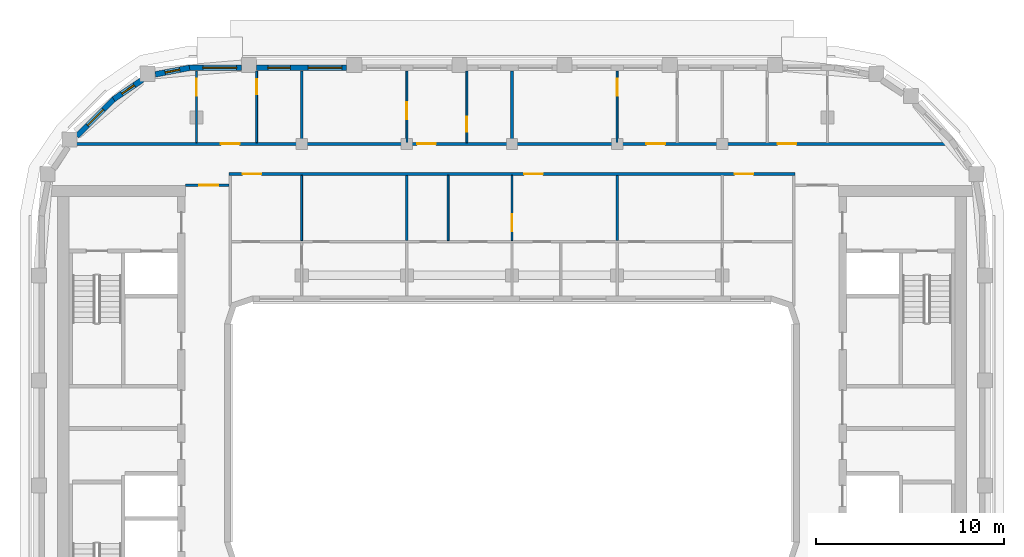
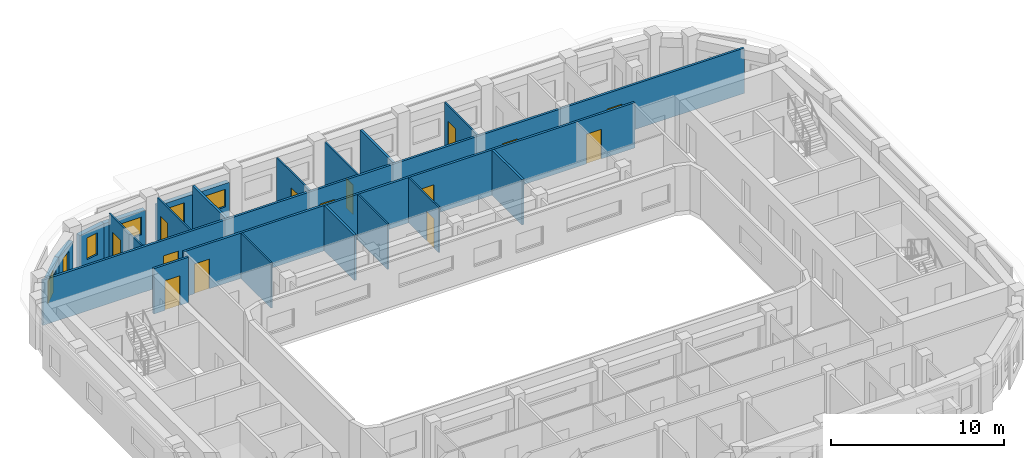
# One storey, part 7 of 16: 20 walls, 14 doors, 6 windows, 20 openings.
"""IFC4 building model written with IfcOpenShell, lengths in metres."""

from ifc_helpers import new_model, si_unit, direction, frame, frame_2d, origin, place, context, subcontext, project, spatial, rectangle, extrude, material, layer, layer_set, type_object, element, fill, save


model = new_model("IFC4")

# Units and contexts
model_context = context("Model", 3, precision=1e-05, world=origin(), true_north=direction((0.0, 1.0)))
body_context = subcontext(model_context, "Body", "Model", "MODEL_VIEW")
ifc_project = project(units=[si_unit("LENGTHUNIT", "METRE"), si_unit("AREAUNIT", "SQUARE_METRE"), si_unit("VOLUMEUNIT", "CUBIC_METRE"), si_unit("PLANEANGLEUNIT", "RADIAN"), si_unit("MASSUNIT", "GRAM", prefix="KILO")], contexts=[model_context])

# Site, building, storey
site_placement = place(None, origin())
site = spatial("IfcSite", under=ifc_project, at=site_placement, CompositionType="ELEMENT")
building_placement = place(site_placement, origin())
building = spatial("IfcBuilding", under=site, at=building_placement, Name="Kiln Ring Residences", CompositionType="ELEMENT")
storey_placement = place(building_placement, frame((0.0, 0.0, 259.199951171875)))
storey = spatial("IfcBuildingStorey", under=building, at=storey_placement, Name="L67", CompositionType="ELEMENT", Elevation=259.199951171875)

# Wall, openings, windows
ifc_material_1 = material(Name="Brick masonry, dark clay brick", Category="masonry")
ifc_layer_1 = layer(ifc_material_1, 0.300048828125)
ifc_layer_set_1 = layer_set([ifc_layer_1], Name="EW-300 BRICK WALL")
wall_type_1 = type_object("IfcWallType", Name="EW-300 BRICK WALL", PredefinedType="SOLIDWALL", material=ifc_layer_set_1)
wall_1_placement = place(storey_placement, frame((-8.800048828125, 19.449951171875, 0.0), z_axis=(0.0, 0.0, 1.0), x_axis=(-1.0, 0.0, 0.0)))
wall_1 = element("IfcWall", 1, at=wall_1_placement, inside=storey, type_object=wall_type_1, Name="Facade wall L67 31", PredefinedType="SOLIDWALL", context=body_context, shape_type="SweptSolid", body=[
    extrude(rectangle(XDim=4.800048828125, YDim=0.300048828125, at=frame_2d((2.39990234375, 0.0))), origin(), (0.0, 0.0, 1.0), 2.550048828125),
])
opening_1_placement = place(wall_1_placement, frame((0.262451171875, 0.0, 0.89990234375)))
opening_1 = element("IfcOpeningElement", 2, at=opening_1_placement, cuts=wall_1, Name="Opening W2", PredefinedType="OPENING", context=body_context, shape_type="SweptSolid", body=[
    extrude(rectangle(XDim=1.800048828125, YDim=1.25, at=frame_2d((0.89990234375, 0.625))), frame((0.0, 0.159912109375, 0.0), z_axis=(0.0, -1.0, 0.0), x_axis=(1.0, 0.0, 0.0)), (0.0, 0.0, 1.0), 0.320068359375),
])
opening_2_placement = place(wall_1_placement, frame((3.0, 0.0, 0.60009765625)))
opening_2 = element("IfcOpeningElement", 3, at=opening_2_placement, cuts=wall_1, Name="Opening W1", PredefinedType="OPENING", context=body_context, shape_type="SweptSolid", body=[
    extrude(rectangle(XDim=1.199951171875, YDim=1.550048828125, at=frame_2d((0.60009765625, 0.77490234375))), frame((0.0, 0.159912109375, 0.0), z_axis=(0.0, -1.0, 0.0), x_axis=(1.0, 0.0, 0.0)), (0.0, 0.0, 1.0), 0.320068359375),
])
ifc_material_2 = material(Name="Aluminium frame with double glazing", Category="aluminium")
window_type_1 = type_object("IfcWindowType", Name="WINDOW 1200 x 1550", PartitioningType="SINGLE_PANEL", PredefinedType="WINDOW", material=ifc_material_2)
window_1_placement = place(opening_2_placement, origin())
window_1 = element("IfcWindow", 4, at=window_1_placement, inside=storey, type_object=window_type_1, Name="Window L67 31", OverallHeight=1.550048828125, OverallWidth=1.199951171875, PartitioningType="SINGLE_PANEL", PredefinedType="WINDOW", context=body_context, shape_type="SweptSolid", body=[
    extrude(rectangle(XDim=1.199951171875, YDim=1.550048828125, at=frame_2d((0.60009765625, 0.77490234375))), frame((0.0, 0.030029296875, 0.0), z_axis=(0.0, -1.0, 0.0), x_axis=(1.0, 0.0, 0.0)), (0.0, 0.0, 1.0), 0.06005859375),
])
fill(opening_2, window_1)
ifc_material_3 = material(Name="Aluminium frame with double glazing", Category="aluminium")
window_type_2 = type_object("IfcWindowType", Name="WINDOW 1800 x 1250", PartitioningType="SINGLE_PANEL", PredefinedType="WINDOW", material=ifc_material_3)
window_2_placement = place(opening_1_placement, origin())
window_2 = element("IfcWindow", 5, at=window_2_placement, inside=storey, type_object=window_type_2, Name="Window L67 30", OverallHeight=1.25, OverallWidth=1.800048828125, PartitioningType="SINGLE_PANEL", PredefinedType="WINDOW", context=body_context, shape_type="SweptSolid", body=[
    extrude(rectangle(XDim=1.800048828125, YDim=1.25, at=frame_2d((0.89990234375, 0.625))), frame((0.0, 0.030029296875, 0.0), z_axis=(0.0, -1.0, 0.0), x_axis=(1.0, 0.0, 0.0)), (0.0, 0.0, 1.0), 0.06005859375),
])
fill(opening_1, window_2)

# Wall, opening, window
wall_2_placement = place(storey_placement, frame((-14.39990234375, 19.449951171875, 0.0), z_axis=(0.0, 0.0, 1.0), x_axis=(-1.0, 0.0, 0.0)))
wall_2 = element("IfcWall", 6, at=wall_2_placement, inside=storey, type_object=wall_type_1, Name="Facade wall L67 32", PredefinedType="SOLIDWALL", context=body_context, shape_type="SweptSolid", body=[
    extrude(rectangle(XDim=2.800048828125, YDim=0.300048828125, at=frame_2d((1.39990234375, 0.0))), origin(), (0.0, 0.0, 1.0), 2.550048828125),
])
opening_3_placement = place(wall_2_placement, frame((0.262451171875, 0.0, 0.89990234375)))
opening_3 = element("IfcOpeningElement", 7, at=opening_3_placement, cuts=wall_2, Name="Opening W2", PredefinedType="OPENING", context=body_context, shape_type="SweptSolid", body=[
    extrude(rectangle(XDim=1.800048828125, YDim=1.25, at=frame_2d((0.89990234375, 0.625))), frame((0.0, 0.159912109375, 0.0), z_axis=(0.0, -1.0, 0.0), x_axis=(1.0, 0.0, 0.0)), (0.0, 0.0, 1.0), 0.320068359375),
])
window_3_placement = place(opening_3_placement, origin())
window_3 = element("IfcWindow", 8, at=window_3_placement, inside=storey, type_object=window_type_2, Name="Window L67 32", OverallHeight=1.25, OverallWidth=1.800048828125, PartitioningType="SINGLE_PANEL", PredefinedType="WINDOW", context=body_context, shape_type="SweptSolid", body=[
    extrude(rectangle(XDim=1.800048828125, YDim=1.25, at=frame_2d((0.89990234375, 0.625))), frame((0.0, 0.030029296875, 0.0), z_axis=(0.0, -1.0, 0.0), x_axis=(1.0, 0.0, 0.0)), (0.0, 0.0, 1.0), 0.06005859375),
])
fill(opening_3, window_3)

wall_3_placement = place(storey_placement, frame((-17.171875, 19.45263671875, 0.0), z_axis=(0.0, 0.0, 1.0), x_axis=(-0.982301706131, -0.187305520826, 0.0)))
wall_3 = element("IfcWall", 9, at=wall_3_placement, inside=storey, type_object=wall_type_1, Name="Facade wall L67 33", PredefinedType="SOLIDWALL", context=body_context, shape_type="SweptSolid", body=[
    extrude(rectangle(XDim=1.856201171875, YDim=0.300048828125, at=frame_2d((0.92822265625, 0.0))), origin(), (0.0, 0.0, 1.0), 2.550048828125),
])
opening_4_placement = place(wall_3_placement, frame((0.528076171875, 0.0, 0.60009765625)))
opening_4 = element("IfcOpeningElement", 10, at=opening_4_placement, cuts=wall_3, Name="Opening W5", PredefinedType="OPENING", context=body_context, shape_type="SweptSolid", body=[
    extrude(rectangle(XDim=0.800048828125, YDim=1.550048828125, at=frame_2d((0.39990234375, 0.77490234375))), frame((0.0, 0.159912109375, 0.0), z_axis=(0.0, -1.0, 0.0), x_axis=(1.0, 0.0, 0.0)), (0.0, 0.0, 1.0), 0.320068359375),
])
ifc_material_4 = material(Name="Aluminium frame with double glazing", Category="aluminium")
window_type_3 = type_object("IfcWindowType", Name="WINDOW 800 x 1550", PartitioningType="SINGLE_PANEL", PredefinedType="WINDOW", material=ifc_material_4)
window_4_placement = place(opening_4_placement, origin())
window_4 = element("IfcWindow", 11, at=window_4_placement, inside=storey, type_object=window_type_3, Name="Window L67 33", OverallHeight=1.550048828125, OverallWidth=0.800048828125, PartitioningType="SINGLE_PANEL", PredefinedType="WINDOW", context=body_context, shape_type="SweptSolid", body=[
    extrude(rectangle(XDim=0.800048828125, YDim=1.550048828125, at=frame_2d((0.39990234375, 0.77490234375))), frame((0.0, 0.030029296875, 0.0), z_axis=(0.0, -1.0, 0.0), x_axis=(1.0, 0.0, 0.0)), (0.0, 0.0, 1.0), 0.06005859375),
])
fill(opening_4, window_4)

wall_4_placement = place(storey_placement, frame((-19.677734375, 18.822265625, 0.0), z_axis=(0.0, 0.0, 1.0), x_axis=(-0.826997446962, -0.562205676526, 0.0)))
wall_4 = element("IfcWall", 12, at=wall_4_placement, inside=storey, type_object=wall_type_1, Name="Facade wall L67 34", PredefinedType="SOLIDWALL", context=body_context, shape_type="SweptSolid", body=[
    extrude(rectangle(XDim=1.85595703125, YDim=0.300048828125, at=frame_2d((0.927978515625, 0.0))), origin(), (0.0, 0.0, 1.0), 2.550048828125),
])
opening_5_placement = place(wall_4_placement, frame((0.528076171875, 0.0, 0.60009765625)))
opening_5 = element("IfcOpeningElement", 13, at=opening_5_placement, cuts=wall_4, Name="Opening W5", PredefinedType="OPENING", context=body_context, shape_type="SweptSolid", body=[
    extrude(rectangle(XDim=0.800048828125, YDim=1.550048828125, at=frame_2d((0.39990234375, 0.77490234375))), frame((0.0, 0.159912109375, 0.0), z_axis=(0.0, -1.0, 0.0), x_axis=(1.0, 0.0, 0.0)), (0.0, 0.0, 1.0), 0.320068359375),
])
window_5_placement = place(opening_5_placement, origin())
window_5 = element("IfcWindow", 14, at=window_5_placement, inside=storey, type_object=window_type_3, Name="Window L67 34", OverallHeight=1.550048828125, OverallWidth=0.800048828125, PartitioningType="SINGLE_PANEL", PredefinedType="WINDOW", context=body_context, shape_type="SweptSolid", body=[
    extrude(rectangle(XDim=0.800048828125, YDim=1.550048828125, at=frame_2d((0.39990234375, 0.77490234375))), frame((0.0, 0.030029296875, 0.0), z_axis=(0.0, -1.0, 0.0), x_axis=(1.0, 0.0, 0.0)), (0.0, 0.0, 1.0), 0.06005859375),
])
fill(opening_5, window_5)

wall_5_placement = place(storey_placement, frame((-21.19091796875, 17.796875, 0.0), z_axis=(0.0, 0.0, 1.0), x_axis=(-0.707106781187, -0.707106781187, 0.0)))
wall_5 = element("IfcWall", 15, at=wall_5_placement, inside=storey, type_object=wall_type_1, Name="Facade wall L67 35", PredefinedType="SOLIDWALL", context=body_context, shape_type="SweptSolid", body=[
    extrude(rectangle(XDim=2.800048828125, YDim=0.300048828125, at=frame_2d((1.39990234375, 0.0))), origin(), (0.0, 0.0, 1.0), 2.550048828125),
])
opening_6_placement = place(wall_5_placement, frame((0.800048828125, 0.0, 0.60009765625)))
opening_6 = element("IfcOpeningElement", 16, at=opening_6_placement, cuts=wall_5, Name="Opening W1", PredefinedType="OPENING", context=body_context, shape_type="SweptSolid", body=[
    extrude(rectangle(XDim=1.199951171875, YDim=1.550048828125, at=frame_2d((0.60009765625, 0.77490234375))), frame((0.0, 0.159912109375, 0.0), z_axis=(0.0, -1.0, 0.0), x_axis=(1.0, 0.0, 0.0)), (0.0, 0.0, 1.0), 0.320068359375),
])
window_6_placement = place(opening_6_placement, origin())
window_6 = element("IfcWindow", 17, at=window_6_placement, inside=storey, type_object=window_type_1, Name="Window L67 35", OverallHeight=1.550048828125, OverallWidth=1.199951171875, PartitioningType="SINGLE_PANEL", PredefinedType="WINDOW", context=body_context, shape_type="SweptSolid", body=[
    extrude(rectangle(XDim=1.199951171875, YDim=1.550048828125, at=frame_2d((0.60009765625, 0.77490234375))), frame((0.0, 0.030029296875, 0.0), z_axis=(0.0, -1.0, 0.0), x_axis=(1.0, 0.0, 0.0)), (0.0, 0.0, 1.0), 0.06005859375),
])
fill(opening_6, window_6)

# Wall, opening, door
ifc_material_5 = material(Name="Gypsum board on steel studs", Category="steel")
ifc_layer_2 = layer(ifc_material_5, 0.10009765625)
ifc_layer_set_2 = layer_set([ifc_layer_2], Name="PARTITION-100")
wall_type_2 = type_object("IfcWallType", Name="PARTITION-100", PredefinedType="PARTITIONING", material=ifc_layer_set_2)
wall_6_placement = place(storey_placement, frame((-16.800048828125, 15.47509765625, 0.0), z_axis=(0.0, 0.0, 1.0), x_axis=(0.0, 1.0, 0.0)))
wall_6 = element("IfcWall", 18, at=wall_6_placement, inside=storey, type_object=wall_type_2, Name="Partition 011", PredefinedType="PARTITIONING", context=body_context, shape_type="SweptSolid", body=[
    extrude(rectangle(XDim=3.804931640625, YDim=0.10009765625, at=frame_2d((1.90234375, 0.0))), origin(), (0.0, 0.0, 1.0), 3.199951171875),
])
opening_7_placement = place(wall_6_placement, frame((2.485107421875, 0.0, 0.0)))
opening_7 = element("IfcOpeningElement", 19, at=opening_7_placement, cuts=wall_6, Name="Opening L67-D021", PredefinedType="OPENING", context=body_context, shape_type="SweptSolid", body=[
    extrude(rectangle(XDim=0.89990234375, YDim=2.10009765625, at=frame_2d((0.449951171875, 1.050048828125))), frame((0.0, 0.06005859375, 0.0), z_axis=(0.0, -1.0, 0.0), x_axis=(1.0, 0.0, 0.0)), (0.0, 0.0, 1.0), 0.1201171875),
])
ifc_material_6 = material(Name="Timber door leaf", Category="wood")
door_type_1 = type_object("IfcDoorType", Name="FLAT-DOOR-900-PL", OperationType="SINGLE_SWING_LEFT", PredefinedType="DOOR", material=ifc_material_6)
door_1_placement = place(opening_7_placement, origin())
door_1 = element("IfcDoor", 20, at=door_1_placement, inside=storey, type_object=door_type_1, Name="Door L67-D021", OperationType="SINGLE_SWING_LEFT", OverallHeight=2.10009765625, OverallWidth=0.89990234375, PredefinedType="DOOR", context=body_context, shape_type="SweptSolid", body=[
    extrude(rectangle(XDim=0.89990234375, YDim=2.10009765625, at=frame_2d((0.449951171875, 1.050048828125))), frame((0.0, 0.02490234375, 0.0), z_axis=(0.0, -1.0, 0.0), x_axis=(1.0, 0.0, 0.0)), (0.0, 0.0, 1.0), 0.050048828125),
])
fill(opening_7, door_1)

wall_7_placement = place(storey_placement, frame((-13.60009765625, 15.47509765625, 0.0), z_axis=(0.0, 0.0, 1.0), x_axis=(0.0, 1.0, 0.0)))
wall_7 = element("IfcWall", 21, at=wall_7_placement, inside=storey, type_object=wall_type_2, Name="Partition 015", PredefinedType="PARTITIONING", context=body_context, shape_type="SweptSolid", body=[
    extrude(rectangle(XDim=3.804931640625, YDim=0.10009765625, at=frame_2d((1.90234375, 0.0))), origin(), (0.0, 0.0, 1.0), 3.199951171875),
])
opening_8_placement = place(wall_7_placement, frame((2.575927734375, 0.0, 0.0)))
opening_8 = element("IfcOpeningElement", 22, at=opening_8_placement, cuts=wall_7, Name="Opening L67-D020", PredefinedType="OPENING", context=body_context, shape_type="SweptSolid", body=[
    extrude(rectangle(XDim=0.800048828125, YDim=2.10009765625, at=frame_2d((0.39990234375, 1.050048828125))), frame((0.0, 0.06005859375, 0.0), z_axis=(0.0, -1.0, 0.0), x_axis=(1.0, 0.0, 0.0)), (0.0, 0.0, 1.0), 0.1201171875),
])
ifc_material_7 = material(Name="Timber door leaf", Category="wood")
door_type_2 = type_object("IfcDoorType", Name="FLAT-DOOR-800-PL", OperationType="SINGLE_SWING_LEFT", PredefinedType="DOOR", material=ifc_material_7)
door_2_placement = place(opening_8_placement, origin())
door_2 = element("IfcDoor", 23, at=door_2_placement, inside=storey, type_object=door_type_2, Name="Door L67-D020", OperationType="SINGLE_SWING_RIGHT", OverallHeight=2.10009765625, OverallWidth=0.800048828125, PredefinedType="DOOR", context=body_context, shape_type="SweptSolid", body=[
    extrude(rectangle(XDim=0.800048828125, YDim=2.10009765625, at=frame_2d((0.39990234375, 1.050048828125))), frame((0.0, 0.02490234375, 0.0), z_axis=(0.0, -1.0, 0.0), x_axis=(1.0, 0.0, 0.0)), (0.0, 0.0, 1.0), 0.050048828125),
])
fill(opening_8, door_2)

# Wall
wall_8_placement = place(storey_placement, frame((-11.199951171875, 10.25, 0.0), z_axis=(0.0, 0.0, 1.0), x_axis=(0.0, 1.0, 0.0)))
element("IfcWall", 24, at=wall_8_placement, inside=storey, type_object=wall_type_2, Name="Partition 019", PredefinedType="PARTITIONING", context=body_context, shape_type="SweptSolid", body=[
    extrude(rectangle(XDim=3.47509765625, YDim=0.10009765625, at=frame_2d((1.737548828125, 0.0))), origin(), (0.0, 0.0, 1.0), 3.199951171875),
])

# Wall, opening, door
wall_9_placement = place(storey_placement, frame((-5.60009765625, 15.47509765625, 0.0), z_axis=(0.0, 0.0, 1.0), x_axis=(0.0, 1.0, 0.0)))
wall_9 = element("IfcWall", 25, at=wall_9_placement, inside=storey, type_object=wall_type_2, Name="Partition 024", PredefinedType="PARTITIONING", context=body_context, shape_type="SweptSolid", body=[
    extrude(rectangle(XDim=3.804931640625, YDim=0.10009765625, at=frame_2d((1.90234375, 0.0))), origin(), (0.0, 0.0, 1.0), 3.199951171875),
])
opening_9_placement = place(wall_9_placement, frame((1.235107421875, 0.0, 0.0)))
opening_9 = element("IfcOpeningElement", 26, at=opening_9_placement, cuts=wall_9, Name="Opening L67-D024", PredefinedType="OPENING", context=body_context, shape_type="SweptSolid", body=[
    extrude(rectangle(XDim=0.89990234375, YDim=2.10009765625, at=frame_2d((0.449951171875, 1.050048828125))), frame((0.0, 0.06005859375, 0.0), z_axis=(0.0, -1.0, 0.0), x_axis=(1.0, 0.0, 0.0)), (0.0, 0.0, 1.0), 0.1201171875),
])
door_3_placement = place(opening_9_placement, origin())
door_3 = element("IfcDoor", 27, at=door_3_placement, inside=storey, type_object=door_type_1, Name="Door L67-D024", OperationType="SINGLE_SWING_RIGHT", OverallHeight=2.10009765625, OverallWidth=0.89990234375, PredefinedType="DOOR", context=body_context, shape_type="SweptSolid", body=[
    extrude(rectangle(XDim=0.89990234375, YDim=2.10009765625, at=frame_2d((0.449951171875, 1.050048828125))), frame((0.0, 0.02490234375, 0.0), z_axis=(0.0, -1.0, 0.0), x_axis=(1.0, 0.0, 0.0)), (0.0, 0.0, 1.0), 0.050048828125),
])
fill(opening_9, door_3)

# Wall
wall_10_placement = place(storey_placement, frame((-3.39990234375, 10.25, 0.0), z_axis=(0.0, 0.0, 1.0), x_axis=(0.0, 1.0, 0.0)))
element("IfcWall", 28, at=wall_10_placement, inside=storey, type_object=wall_type_2, Name="Partition 029", PredefinedType="PARTITIONING", context=body_context, shape_type="SweptSolid", body=[
    extrude(rectangle(XDim=3.47509765625, YDim=0.10009765625, at=frame_2d((1.737548828125, 0.0))), origin(), (0.0, 0.0, 1.0), 3.199951171875),
])

# Wall, opening, door
wall_11_placement = place(storey_placement, frame((-2.39990234375, 15.47509765625, 0.0), z_axis=(0.0, 0.0, 1.0), x_axis=(0.0, 1.0, 0.0)))
wall_11 = element("IfcWall", 29, at=wall_11_placement, inside=storey, type_object=wall_type_2, Name="Partition 030", PredefinedType="PARTITIONING", context=body_context, shape_type="SweptSolid", body=[
    extrude(rectangle(XDim=3.804931640625, YDim=0.10009765625, at=frame_2d((1.90234375, 0.0))), origin(), (0.0, 0.0, 1.0), 3.199951171875),
])
opening_10_placement = place(wall_11_placement, frame((0.575927734375, 0.0, 0.0)))
opening_10 = element("IfcOpeningElement", 30, at=opening_10_placement, cuts=wall_11, Name="Opening L67-D023", PredefinedType="OPENING", context=body_context, shape_type="SweptSolid", body=[
    extrude(rectangle(XDim=0.800048828125, YDim=2.10009765625, at=frame_2d((0.39990234375, 1.050048828125))), frame((0.0, 0.06005859375, 0.0), z_axis=(0.0, -1.0, 0.0), x_axis=(1.0, 0.0, 0.0)), (0.0, 0.0, 1.0), 0.1201171875),
])
door_4_placement = place(opening_10_placement, origin())
door_4 = element("IfcDoor", 31, at=door_4_placement, inside=storey, type_object=door_type_2, Name="Door L67-D023", OperationType="SINGLE_SWING_LEFT", OverallHeight=2.10009765625, OverallWidth=0.800048828125, PredefinedType="DOOR", context=body_context, shape_type="SweptSolid", body=[
    extrude(rectangle(XDim=0.800048828125, YDim=2.10009765625, at=frame_2d((0.39990234375, 1.050048828125))), frame((0.0, 0.02490234375, 0.0), z_axis=(0.0, -1.0, 0.0), x_axis=(1.0, 0.0, 0.0)), (0.0, 0.0, 1.0), 0.050048828125),
])
fill(opening_10, door_4)

wall_12_placement = place(storey_placement, frame((0.0, 10.25, 0.0), z_axis=(0.0, 0.0, 1.0), x_axis=(0.0, 1.0, 0.0)))
wall_12 = element("IfcWall", 32, at=wall_12_placement, inside=storey, type_object=wall_type_2, Name="Partition 033", PredefinedType="PARTITIONING", context=body_context, shape_type="SweptSolid", body=[
    extrude(rectangle(XDim=3.47509765625, YDim=0.10009765625, at=frame_2d((1.737548828125, 0.0))), origin(), (0.0, 0.0, 1.0), 3.199951171875),
])
opening_11_placement = place(wall_12_placement, frame((0.4990234375, 0.0, 0.0)))
opening_11 = element("IfcOpeningElement", 33, at=opening_11_placement, cuts=wall_12, Name="Opening L67-D010", PredefinedType="OPENING", context=body_context, shape_type="SweptSolid", body=[
    extrude(rectangle(XDim=0.89990234375, YDim=2.10009765625, at=frame_2d((0.449951171875, 1.050048828125))), frame((0.0, 0.06005859375, 0.0), z_axis=(0.0, -1.0, 0.0), x_axis=(1.0, 0.0, 0.0)), (0.0, 0.0, 1.0), 0.1201171875),
])
door_5_placement = place(opening_11_placement, origin())
door_5 = element("IfcDoor", 34, at=door_5_placement, inside=storey, type_object=door_type_1, Name="Door L67-D010", OperationType="SINGLE_SWING_RIGHT", OverallHeight=2.10009765625, OverallWidth=0.89990234375, PredefinedType="DOOR", context=body_context, shape_type="SweptSolid", body=[
    extrude(rectangle(XDim=0.89990234375, YDim=2.10009765625, at=frame_2d((0.449951171875, 1.050048828125))), frame((0.0, 0.02490234375, 0.0), z_axis=(0.0, -1.0, 0.0), x_axis=(1.0, 0.0, 0.0)), (0.0, 0.0, 1.0), 0.050048828125),
])
fill(opening_11, door_5)

wall_13_placement = place(storey_placement, frame((5.60009765625, 15.47509765625, 0.0), z_axis=(0.0, 0.0, 1.0), x_axis=(0.0, 1.0, 0.0)))
wall_13 = element("IfcWall", 35, at=wall_13_placement, inside=storey, type_object=wall_type_2, Name="Partition 042", PredefinedType="PARTITIONING", context=body_context, shape_type="SweptSolid", body=[
    extrude(rectangle(XDim=3.804931640625, YDim=0.10009765625, at=frame_2d((1.90234375, 0.0))), origin(), (0.0, 0.0, 1.0), 3.199951171875),
])
opening_12_placement = place(wall_13_placement, frame((2.485107421875, 0.0, 0.0)))
opening_12 = element("IfcOpeningElement", 36, at=opening_12_placement, cuts=wall_13, Name="Opening L67-D027", PredefinedType="OPENING", context=body_context, shape_type="SweptSolid", body=[
    extrude(rectangle(XDim=0.89990234375, YDim=2.10009765625, at=frame_2d((0.449951171875, 1.050048828125))), frame((0.0, 0.06005859375, 0.0), z_axis=(0.0, -1.0, 0.0), x_axis=(1.0, 0.0, 0.0)), (0.0, 0.0, 1.0), 0.1201171875),
])
door_6_placement = place(opening_12_placement, origin())
door_6 = element("IfcDoor", 37, at=door_6_placement, inside=storey, type_object=door_type_1, Name="Door L67-D027", OperationType="SINGLE_SWING_LEFT", OverallHeight=2.10009765625, OverallWidth=0.89990234375, PredefinedType="DOOR", context=body_context, shape_type="SweptSolid", body=[
    extrude(rectangle(XDim=0.89990234375, YDim=2.10009765625, at=frame_2d((0.449951171875, 1.050048828125))), frame((0.0, 0.02490234375, 0.0), z_axis=(0.0, -1.0, 0.0), x_axis=(1.0, 0.0, 0.0)), (0.0, 0.0, 1.0), 0.050048828125),
])
fill(opening_12, door_6)

ifc_material_8 = material(Name="Brick masonry partition", Category="masonry")
ifc_layer_3 = layer(ifc_material_8, 0.14990234375)
ifc_layer_set_3 = layer_set([ifc_layer_3], Name="PARTITION-150-ei60")
wall_type_3 = type_object("IfcWallType", Name="PARTITION-150-ei60", PredefinedType="PARTITIONING", material=ifc_layer_set_3)
wall_14_placement = place(storey_placement, frame((-17.39990234375, 13.199951171875, 0.0), z_axis=(0.0, 0.0, 1.0), x_axis=(1.0, 0.0, 0.0)))
wall_14 = element("IfcWall", 38, at=wall_14_placement, inside=storey, type_object=wall_type_3, Name="Partition 006", PredefinedType="PARTITIONING", context=body_context, shape_type="SweptSolid", body=[
    extrude(rectangle(XDim=2.324951171875, YDim=0.14990234375, at=frame_2d((1.16259765625, 0.0))), origin(), (0.0, 0.0, 1.0), 3.199951171875),
])
opening_13_placement = place(wall_14_placement, frame((0.75, 0.0, 0.0)))
opening_13 = element("IfcOpeningElement", 39, at=opening_13_placement, cuts=wall_14, Name="Opening L67-D001", PredefinedType="OPENING", context=body_context, shape_type="SweptSolid", body=[
    extrude(rectangle(XDim=1.0, YDim=2.10009765625, at=frame_2d((0.5, 1.050048828125))), frame((0.0, 0.0849609375, 0.0), z_axis=(0.0, -1.0, 0.0), x_axis=(1.0, 0.0, 0.0)), (0.0, 0.0, 1.0), 0.169921875),
])
ifc_material_9 = material(Name="Steel faced fire door leaf", Category="steel")
door_type_3 = type_object("IfcDoorType", Name="FLAT-DOOR-1000-FR", OperationType="SINGLE_SWING_LEFT", PredefinedType="DOOR", material=ifc_material_9)
door_7_placement = place(opening_13_placement, origin())
door_7 = element("IfcDoor", 40, at=door_7_placement, inside=storey, type_object=door_type_3, Name="Door L67-D001", OperationType="SINGLE_SWING_RIGHT", OverallHeight=2.10009765625, OverallWidth=1.0, PredefinedType="DOOR", context=body_context, shape_type="SweptSolid", body=[
    extrude(rectangle(XDim=1.0, YDim=2.10009765625, at=frame_2d((0.5, 1.050048828125))), frame((0.0, 0.02490234375, 0.0), z_axis=(0.0, -1.0, 0.0), x_axis=(1.0, 0.0, 0.0)), (0.0, 0.0, 1.0), 0.050048828125),
])
fill(opening_13, door_7)

# Wall, openings, doors
wall_15_placement = place(storey_placement, frame((-15.074951171875, 13.800048828125, 0.0), z_axis=(0.0, 0.0, 1.0), x_axis=(1.0, 0.0, 0.0)))
wall_15 = element("IfcWall", 41, at=wall_15_placement, inside=storey, type_object=wall_type_3, Name="Partition 008", PredefinedType="PARTITIONING", context=body_context, shape_type="SweptSolid", body=[
    extrude(rectangle(XDim=30.14990234375, YDim=0.14990234375, at=frame_2d((15.074951171875, 0.0))), origin(), (0.0, 0.0, 1.0), 3.199951171875),
])
opening_14_placement = place(wall_15_placement, frame((0.72607421875, 0.0, 0.0)))
opening_14 = element("IfcOpeningElement", 42, at=opening_14_placement, cuts=wall_15, Name="Opening L67-D005", PredefinedType="OPENING", context=body_context, shape_type="SweptSolid", body=[
    extrude(rectangle(XDim=1.0, YDim=2.10009765625, at=frame_2d((0.5, 1.050048828125))), frame((0.0, 0.0849609375, 0.0), z_axis=(0.0, -1.0, 0.0), x_axis=(1.0, 0.0, 0.0)), (0.0, 0.0, 1.0), 0.169921875),
])
opening_15_placement = place(wall_15_placement, frame((15.72509765625, 0.0, 0.0)))
opening_15 = element("IfcOpeningElement", 43, at=opening_15_placement, cuts=wall_15, Name="Opening L67-D009", PredefinedType="OPENING", context=body_context, shape_type="SweptSolid", body=[
    extrude(rectangle(XDim=1.0, YDim=2.10009765625, at=frame_2d((0.5, 1.050048828125))), frame((0.0, 0.0849609375, 0.0), z_axis=(0.0, -1.0, 0.0), x_axis=(1.0, 0.0, 0.0)), (0.0, 0.0, 1.0), 0.169921875),
])
opening_16_placement = place(wall_15_placement, frame((26.925048828125, 0.0, 0.0)))
opening_16 = element("IfcOpeningElement", 44, at=opening_16_placement, cuts=wall_15, Name="Opening L67-D015", PredefinedType="OPENING", context=body_context, shape_type="SweptSolid", body=[
    extrude(rectangle(XDim=1.0, YDim=2.10009765625, at=frame_2d((0.5, 1.050048828125))), frame((0.0, 0.0849609375, 0.0), z_axis=(0.0, -1.0, 0.0), x_axis=(1.0, 0.0, 0.0)), (0.0, 0.0, 1.0), 0.169921875),
])
door_8_placement = place(opening_14_placement, origin())
door_8 = element("IfcDoor", 45, at=door_8_placement, inside=storey, type_object=door_type_3, Name="Door L67-D005", OperationType="SINGLE_SWING_LEFT", OverallHeight=2.10009765625, OverallWidth=1.0, PredefinedType="DOOR", context=body_context, shape_type="SweptSolid", body=[
    extrude(rectangle(XDim=1.0, YDim=2.10009765625, at=frame_2d((0.5, 1.050048828125))), frame((0.0, 0.02490234375, 0.0), z_axis=(0.0, -1.0, 0.0), x_axis=(1.0, 0.0, 0.0)), (0.0, 0.0, 1.0), 0.050048828125),
])
fill(opening_14, door_8)
door_9_placement = place(opening_15_placement, origin())
door_9 = element("IfcDoor", 46, at=door_9_placement, inside=storey, type_object=door_type_3, Name="Door L67-D009", OperationType="SINGLE_SWING_LEFT", OverallHeight=2.10009765625, OverallWidth=1.0, PredefinedType="DOOR", context=body_context, shape_type="SweptSolid", body=[
    extrude(rectangle(XDim=1.0, YDim=2.10009765625, at=frame_2d((0.5, 1.050048828125))), frame((0.0, 0.02490234375, 0.0), z_axis=(0.0, -1.0, 0.0), x_axis=(1.0, 0.0, 0.0)), (0.0, 0.0, 1.0), 0.050048828125),
])
fill(opening_15, door_9)
door_10_placement = place(opening_16_placement, origin())
door_10 = element("IfcDoor", 47, at=door_10_placement, inside=storey, type_object=door_type_3, Name="Door L67-D015", OperationType="SINGLE_SWING_LEFT", OverallHeight=2.10009765625, OverallWidth=1.0, PredefinedType="DOOR", context=body_context, shape_type="SweptSolid", body=[
    extrude(rectangle(XDim=1.0, YDim=2.10009765625, at=frame_2d((0.5, 1.050048828125))), frame((0.0, 0.02490234375, 0.0), z_axis=(0.0, -1.0, 0.0), x_axis=(1.0, 0.0, 0.0)), (0.0, 0.0, 1.0), 0.050048828125),
])
fill(opening_16, door_10)

wall_16_placement = place(storey_placement, frame((-23.550048828125, 15.39990234375, 0.0), z_axis=(0.0, 0.0, 1.0), x_axis=(1.0, 0.0, 0.0)))
wall_16 = element("IfcWall", 48, at=wall_16_placement, inside=storey, type_object=wall_type_3, Name="Partition 009", PredefinedType="PARTITIONING", context=body_context, shape_type="SweptSolid", body=[
    extrude(rectangle(XDim=46.8720703125, YDim=0.14990234375, at=frame_2d((23.43603515625, 0.0))), origin(), (0.0, 0.0, 1.0), 3.199951171875),
])
opening_17_placement = place(wall_16_placement, frame((8.050048828125, 0.0, 0.0)))
opening_17 = element("IfcOpeningElement", 49, at=opening_17_placement, cuts=wall_16, Name="Opening L67-D019", PredefinedType="OPENING", context=body_context, shape_type="SweptSolid", body=[
    extrude(rectangle(XDim=1.0, YDim=2.10009765625, at=frame_2d((0.5, 1.050048828125))), frame((0.0, 0.0849609375, 0.0), z_axis=(0.0, -1.0, 0.0), x_axis=(1.0, 0.0, 0.0)), (0.0, 0.0, 1.0), 0.169921875),
])
opening_18_placement = place(wall_16_placement, frame((18.5, 0.0, 0.0)))
opening_18 = element("IfcOpeningElement", 50, at=opening_18_placement, cuts=wall_16, Name="Opening L67-D022", PredefinedType="OPENING", context=body_context, shape_type="SweptSolid", body=[
    extrude(rectangle(XDim=1.0, YDim=2.10009765625, at=frame_2d((0.5, 1.050048828125))), frame((0.0, 0.0849609375, 0.0), z_axis=(0.0, -1.0, 0.0), x_axis=(1.0, 0.0, 0.0)), (0.0, 0.0, 1.0), 0.169921875),
])
opening_19_placement = place(wall_16_placement, frame((30.699951171875, 0.0, 0.0)))
opening_19 = element("IfcOpeningElement", 51, at=opening_19_placement, cuts=wall_16, Name="Opening L67-D025", PredefinedType="OPENING", context=body_context, shape_type="SweptSolid", body=[
    extrude(rectangle(XDim=1.0, YDim=2.10009765625, at=frame_2d((0.5, 1.050048828125))), frame((0.0, 0.0849609375, 0.0), z_axis=(0.0, -1.0, 0.0), x_axis=(1.0, 0.0, 0.0)), (0.0, 0.0, 1.0), 0.169921875),
])
opening_20_placement = place(wall_16_placement, frame((37.699951171875, 0.0, 0.0)))
opening_20 = element("IfcOpeningElement", 52, at=opening_20_placement, cuts=wall_16, Name="Opening L67-D028", PredefinedType="OPENING", context=body_context, shape_type="SweptSolid", body=[
    extrude(rectangle(XDim=1.0, YDim=2.10009765625, at=frame_2d((0.5, 1.050048828125))), frame((0.0, 0.0849609375, 0.0), z_axis=(0.0, -1.0, 0.0), x_axis=(1.0, 0.0, 0.0)), (0.0, 0.0, 1.0), 0.169921875),
])
door_11_placement = place(opening_17_placement, origin())
door_11 = element("IfcDoor", 53, at=door_11_placement, inside=storey, type_object=door_type_3, Name="Door L67-D019", OperationType="SINGLE_SWING_LEFT", OverallHeight=2.10009765625, OverallWidth=1.0, PredefinedType="DOOR", context=body_context, shape_type="SweptSolid", body=[
    extrude(rectangle(XDim=1.0, YDim=2.10009765625, at=frame_2d((0.5, 1.050048828125))), frame((0.0, 0.02490234375, 0.0), z_axis=(0.0, -1.0, 0.0), x_axis=(1.0, 0.0, 0.0)), (0.0, 0.0, 1.0), 0.050048828125),
])
fill(opening_17, door_11)
door_12_placement = place(opening_18_placement, origin())
door_12 = element("IfcDoor", 54, at=door_12_placement, inside=storey, type_object=door_type_3, Name="Door L67-D022", OperationType="SINGLE_SWING_RIGHT", OverallHeight=2.10009765625, OverallWidth=1.0, PredefinedType="DOOR", context=body_context, shape_type="SweptSolid", body=[
    extrude(rectangle(XDim=1.0, YDim=2.10009765625, at=frame_2d((0.5, 1.050048828125))), frame((0.0, 0.02490234375, 0.0), z_axis=(0.0, -1.0, 0.0), x_axis=(1.0, 0.0, 0.0)), (0.0, 0.0, 1.0), 0.050048828125),
])
fill(opening_18, door_12)
door_13_placement = place(opening_19_placement, origin())
door_13 = element("IfcDoor", 55, at=door_13_placement, inside=storey, type_object=door_type_3, Name="Door L67-D025", OperationType="SINGLE_SWING_LEFT", OverallHeight=2.10009765625, OverallWidth=1.0, PredefinedType="DOOR", context=body_context, shape_type="SweptSolid", body=[
    extrude(rectangle(XDim=1.0, YDim=2.10009765625, at=frame_2d((0.5, 1.050048828125))), frame((0.0, 0.02490234375, 0.0), z_axis=(0.0, -1.0, 0.0), x_axis=(1.0, 0.0, 0.0)), (0.0, 0.0, 1.0), 0.050048828125),
])
fill(opening_19, door_13)
door_14_placement = place(opening_20_placement, origin())
door_14 = element("IfcDoor", 56, at=door_14_placement, inside=storey, type_object=door_type_3, Name="Door L67-D028", OperationType="SINGLE_SWING_RIGHT", OverallHeight=2.10009765625, OverallWidth=1.0, PredefinedType="DOOR", context=body_context, shape_type="SweptSolid", body=[
    extrude(rectangle(XDim=1.0, YDim=2.10009765625, at=frame_2d((0.5, 1.050048828125))), frame((0.0, 0.02490234375, 0.0), z_axis=(0.0, -1.0, 0.0), x_axis=(1.0, 0.0, 0.0)), (0.0, 0.0, 1.0), 0.050048828125),
])
fill(opening_20, door_14)

# Walls
wall_17_placement = place(storey_placement, frame((-11.199951171875, 15.47509765625, 0.0), z_axis=(0.0, 0.0, 1.0), x_axis=(0.0, 1.0, 0.0)))
element("IfcWall", 57, at=wall_17_placement, inside=storey, type_object=wall_type_3, Name="Partition 021", PredefinedType="PARTITIONING", context=body_context, shape_type="SweptSolid", body=[
    extrude(rectangle(XDim=3.804931640625, YDim=0.14990234375, at=frame_2d((1.90234375, 0.0))), origin(), (0.0, 0.0, 1.0), 3.199951171875),
])
wall_18_placement = place(storey_placement, frame((-5.60009765625, 10.25, 0.0), z_axis=(0.0, 0.0, 1.0), x_axis=(0.0, 1.0, 0.0)))
element("IfcWall", 58, at=wall_18_placement, inside=storey, type_object=wall_type_3, Name="Partition 028", PredefinedType="PARTITIONING", context=body_context, shape_type="SweptSolid", body=[
    extrude(rectangle(XDim=3.47509765625, YDim=0.14990234375, at=frame_2d((1.737548828125, 0.0))), origin(), (0.0, 0.0, 1.0), 3.199951171875),
])
wall_19_placement = place(storey_placement, frame((0.0, 15.47509765625, 0.0), z_axis=(0.0, 0.0, 1.0), x_axis=(0.0, 1.0, 0.0)))
element("IfcWall", 59, at=wall_19_placement, inside=storey, type_object=wall_type_3, Name="Partition 037", PredefinedType="PARTITIONING", context=body_context, shape_type="SweptSolid", body=[
    extrude(rectangle(XDim=3.804931640625, YDim=0.14990234375, at=frame_2d((1.90234375, 0.0))), origin(), (0.0, 0.0, 1.0), 3.199951171875),
])
wall_20_placement = place(storey_placement, frame((5.60009765625, 10.25, 0.0), z_axis=(0.0, 0.0, 1.0), x_axis=(0.0, 1.0, 0.0)))
element("IfcWall", 60, at=wall_20_placement, inside=storey, type_object=wall_type_3, Name="Partition 046", PredefinedType="PARTITIONING", context=body_context, shape_type="SweptSolid", body=[
    extrude(rectangle(XDim=3.47509765625, YDim=0.14990234375, at=frame_2d((1.737548828125, 0.0))), origin(), (0.0, 0.0, 1.0), 3.199951171875),
])

save(model, "model.ifc")
